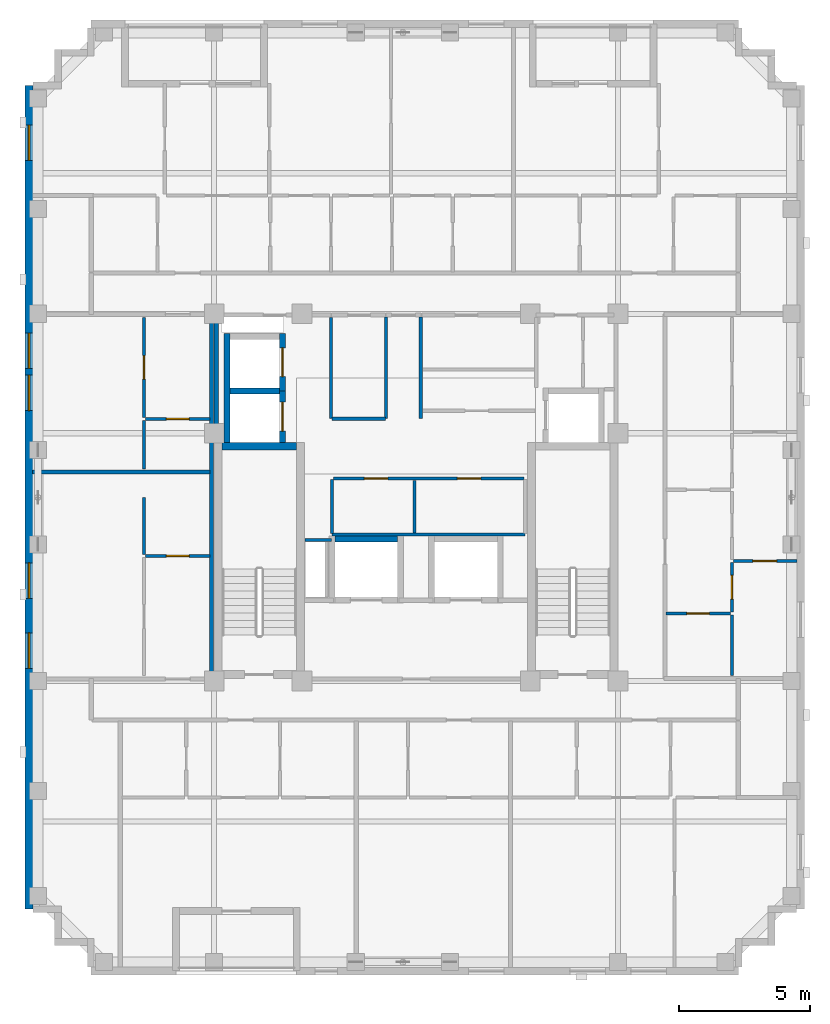
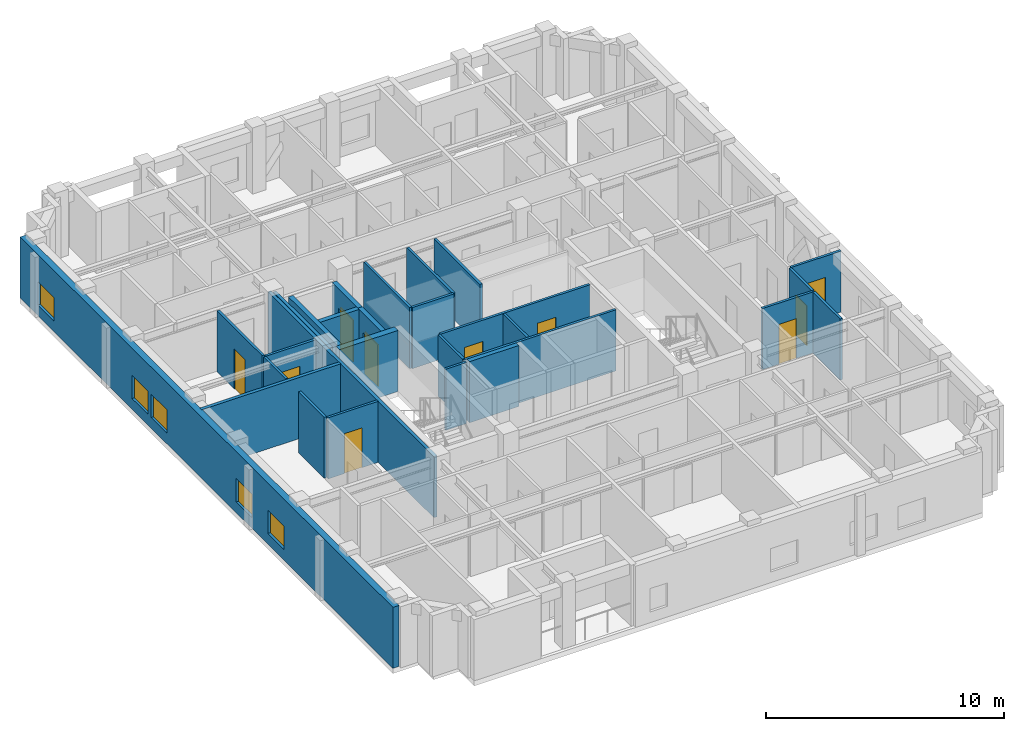
# One storey, part 4 of 11: 28 walls, 10 doors, 5 windows, 15 openings.
"""IFC4 building model written with IfcOpenShell, lengths in metres."""

from ifc_helpers import new_model, si_unit, derived_unit, direction, frame, frame_2d, origin, place, context, subcontext, project, spatial, rectangle, extrude, material, layer, layer_set, type_object, element, fill, save


model = new_model("IFC4")

# Units and contexts
model_context = context("Model", 3, precision=1e-05, world=origin(), true_north=direction((0.0, 1.0)))
body_context = subcontext(model_context, "Body", "Model", "MODEL_VIEW")
ifc_project = project(units=[si_unit("LENGTHUNIT", "METRE"), si_unit("AREAUNIT", "SQUARE_METRE"), si_unit("VOLUMEUNIT", "CUBIC_METRE"), si_unit("PLANEANGLEUNIT", "RADIAN"), si_unit("MASSUNIT", "GRAM", prefix="KILO"), derived_unit("THERMALTRANSMITTANCEUNIT", [(si_unit("MASSUNIT", "GRAM", prefix="KILO"), 1), (si_unit("TIMEUNIT", "SECOND"), -3), (si_unit("THERMODYNAMICTEMPERATUREUNIT", "KELVIN"), -1)])], contexts=[model_context])

# Site, building, storey
site_placement = place(None, origin())
site = spatial("IfcSite", under=ifc_project, at=site_placement, CompositionType="ELEMENT")
building_placement = place(site_placement, origin())
building = spatial("IfcBuilding", under=site, at=building_placement, Name="Korrvale Station Residences", CompositionType="ELEMENT")
storey_placement = place(building_placement, frame((0.0, 0.0, 254.699951171875)))
storey = spatial("IfcBuildingStorey", under=building, at=storey_placement, Name="L74", CompositionType="ELEMENT", Elevation=254.699951171875)

# Wall
ifc_material_1 = material(Name="Concrete C50/60", Category="concrete")
ifc_layer_1 = layer(ifc_material_1, 0.300048828125, Name="Concrete C50/60")
ifc_layer_set_1 = layer_set([ifc_layer_1], Name="Concrete C50/60")
wall_type_1 = type_object("IfcWallType", Name="WAL-CORE-300-C50", PredefinedType="SHEAR", material=ifc_layer_set_1)
wall_1_placement = place(storey_placement, frame((18.10009765625, 23.949951171875, 0.0), z_axis=(0.0, 0.0, 1.0), x_axis=(1.0, 0.0, 0.0)))
element("IfcWall", 1, at=wall_1_placement, inside=storey, type_object=wall_type_1, Name="L74 ST-1 Core Shear Wall North", PredefinedType="SHEAR", context=body_context, shape_type="SweptSolid", body=[
    extrude(rectangle(XDim=2.849853515625, YDim=0.300048828125, at=frame_2d((1.4248046875, 0.0))), origin(), (0.0, 0.0, 1.0), 3.14013671875),
])

# Wall, openings, windows
ifc_material_2 = material(Name="Precast concrete C45/55", Category="concrete")
ifc_layer_2 = layer(ifc_material_2, 0.300048828125, Name="Precast concrete C45/55")
ifc_layer_set_2 = layer_set([ifc_layer_2], Name="Precast concrete C45/55")
wall_type_2 = type_object("IfcWallType", Name="WAL-EXT-PC300", PredefinedType="SOLIDWALL", material=ifc_layer_set_2)
wall_2_placement = place(storey_placement, frame((10.75, 6.300048828125, 0.0), z_axis=(0.0, 0.0, 1.0), x_axis=(0.0, 1.0, 0.0)))
wall_2 = element("IfcWall", 2, at=wall_2_placement, inside=storey, type_object=wall_type_2, Name="L74 West Exterior Precast Wall 1", PredefinedType="SOLIDWALL", context=body_context, shape_type="SweptSolid", body=[
    extrude(rectangle(XDim=31.39990234375, YDim=0.300048828125, at=frame_2d((15.699951171875, 0.0))), origin(), (0.0, 0.0, 1.0), 3.14013671875),
])
opening_1_placement = place(wall_2_placement, frame((28.5458984375, 0.0, 0.550048828125)))
opening_1 = element("IfcOpeningElement", 3, at=opening_1_placement, cuts=wall_2, Name="Opening W-10", PredefinedType="OPENING", context=body_context, shape_type="SweptSolid", body=[
    extrude(rectangle(XDim=1.35009765625, YDim=1.199951171875, at=frame_2d((0.675048828125, 0.60009765625))), frame((0.0, 0.16015625, 0.0), z_axis=(0.0, -1.0, 0.0), x_axis=(1.0, 0.0, 0.0)), (0.0, 0.0, 1.0), 0.320068359375),
])
opening_2_placement = place(wall_2_placement, frame((11.85009765625, 0.0, 0.550048828125)))
opening_2 = element("IfcOpeningElement", 4, at=opening_2_placement, cuts=wall_2, Name="Opening W-10", PredefinedType="OPENING", context=body_context, shape_type="SweptSolid", body=[
    extrude(rectangle(XDim=1.35009765625, YDim=1.199951171875, at=frame_2d((0.675048828125, 0.60009765625))), frame((0.0, 0.16015625, 0.0), z_axis=(0.0, -1.0, 0.0), x_axis=(1.0, 0.0, 0.0)), (0.0, 0.0, 1.0), 0.320068359375),
])
opening_3_placement = place(wall_2_placement, frame((9.18505859375, 0.0, 0.550048828125)))
opening_3 = element("IfcOpeningElement", 5, at=opening_3_placement, cuts=wall_2, Name="Opening W-10", PredefinedType="OPENING", context=body_context, shape_type="SweptSolid", body=[
    extrude(rectangle(XDim=1.35009765625, YDim=1.199951171875, at=frame_2d((0.675048828125, 0.60009765625))), frame((0.0, 0.16015625, 0.0), z_axis=(0.0, -1.0, 0.0), x_axis=(1.0, 0.0, 0.0)), (0.0, 0.0, 1.0), 0.320068359375),
])
opening_4_placement = place(wall_2_placement, frame((19.006103515625, 0.0, 0.550048828125)))
opening_4 = element("IfcOpeningElement", 6, at=opening_4_placement, cuts=wall_2, Name="Opening W-10", PredefinedType="OPENING", context=body_context, shape_type="SweptSolid", body=[
    extrude(rectangle(XDim=1.35009765625, YDim=1.199951171875, at=frame_2d((0.675048828125, 0.60009765625))), frame((0.0, 0.16015625, 0.0), z_axis=(0.0, -1.0, 0.0), x_axis=(1.0, 0.0, 0.0)), (0.0, 0.0, 1.0), 0.320068359375),
])
opening_5_placement = place(wall_2_placement, frame((20.615966796875, 0.0, 0.550048828125)))
opening_5 = element("IfcOpeningElement", 7, at=opening_5_placement, cuts=wall_2, Name="Opening W-10", PredefinedType="OPENING", context=body_context, shape_type="SweptSolid", body=[
    extrude(rectangle(XDim=1.35009765625, YDim=1.199951171875, at=frame_2d((0.675048828125, 0.60009765625))), frame((0.0, 0.16015625, 0.0), z_axis=(0.0, -1.0, 0.0), x_axis=(1.0, 0.0, 0.0)), (0.0, 0.0, 1.0), 0.320068359375),
])
ifc_material_3 = material(Name="Thermally broken aluminium frame with triple low-e glazing", Category="aluminium")
window_type = type_object("IfcWindowType", Name="WIN-W10", PartitioningType="SINGLE_PANEL", PredefinedType="WINDOW", material=ifc_material_3)
window_1_placement = place(opening_1_placement, origin())
window_1 = element("IfcWindow", 8, at=window_1_placement, inside=storey, type_object=window_type, Name="L74 Punched Window 06", OverallHeight=1.199951171875, OverallWidth=1.35009765625, PartitioningType="SINGLE_PANEL", PredefinedType="WINDOW", context=body_context, shape_type="SweptSolid", body=[
    extrude(rectangle(XDim=1.35009765625, YDim=1.199951171875, at=frame_2d((0.675048828125, 0.60009765625))), frame((0.0, 0.030029296875, 0.0), z_axis=(0.0, -1.0, 0.0), x_axis=(1.0, 0.0, 0.0)), (0.0, 0.0, 1.0), 0.06005859375),
])
fill(opening_1, window_1)
window_2_placement = place(opening_2_placement, origin())
window_2 = element("IfcWindow", 9, at=window_2_placement, inside=storey, type_object=window_type, Name="L74 Punched Window 12", OverallHeight=1.199951171875, OverallWidth=1.35009765625, PartitioningType="SINGLE_PANEL", PredefinedType="WINDOW", context=body_context, shape_type="SweptSolid", body=[
    extrude(rectangle(XDim=1.35009765625, YDim=1.199951171875, at=frame_2d((0.675048828125, 0.60009765625))), frame((0.0, 0.030029296875, 0.0), z_axis=(0.0, -1.0, 0.0), x_axis=(1.0, 0.0, 0.0)), (0.0, 0.0, 1.0), 0.06005859375),
])
fill(opening_2, window_2)
window_3_placement = place(opening_3_placement, origin())
window_3 = element("IfcWindow", 10, at=window_3_placement, inside=storey, type_object=window_type, Name="L74 Punched Window 13", OverallHeight=1.199951171875, OverallWidth=1.35009765625, PartitioningType="SINGLE_PANEL", PredefinedType="WINDOW", context=body_context, shape_type="SweptSolid", body=[
    extrude(rectangle(XDim=1.35009765625, YDim=1.199951171875, at=frame_2d((0.675048828125, 0.60009765625))), frame((0.0, 0.030029296875, 0.0), z_axis=(0.0, -1.0, 0.0), x_axis=(1.0, 0.0, 0.0)), (0.0, 0.0, 1.0), 0.06005859375),
])
fill(opening_3, window_3)
window_4_placement = place(opening_4_placement, origin())
window_4 = element("IfcWindow", 11, at=window_4_placement, inside=storey, type_object=window_type, Name="L74 Punched Window 14", OverallHeight=1.199951171875, OverallWidth=1.35009765625, PartitioningType="SINGLE_PANEL", PredefinedType="WINDOW", context=body_context, shape_type="SweptSolid", body=[
    extrude(rectangle(XDim=1.35009765625, YDim=1.199951171875, at=frame_2d((0.675048828125, 0.60009765625))), frame((0.0, 0.030029296875, 0.0), z_axis=(0.0, -1.0, 0.0), x_axis=(1.0, 0.0, 0.0)), (0.0, 0.0, 1.0), 0.06005859375),
])
fill(opening_4, window_4)
window_5_placement = place(opening_5_placement, origin())
window_5 = element("IfcWindow", 12, at=window_5_placement, inside=storey, type_object=window_type, Name="L74 Punched Window 15", OverallHeight=1.199951171875, OverallWidth=1.35009765625, PartitioningType="SINGLE_PANEL", PredefinedType="WINDOW", context=body_context, shape_type="SweptSolid", body=[
    extrude(rectangle(XDim=1.35009765625, YDim=1.199951171875, at=frame_2d((0.675048828125, 0.60009765625))), frame((0.0, 0.030029296875, 0.0), z_axis=(0.0, -1.0, 0.0), x_axis=(1.0, 0.0, 0.0)), (0.0, 0.0, 1.0), 0.06005859375),
])
fill(opening_5, window_5)

# Walls
ifc_material_4 = material(Name="Acoustic steel-stud gypsum board partition", Category="steel")
ifc_layer_3 = layer(ifc_material_4, 0.1201171875, Name="Acoustic steel-stud gypsum board partition")
ifc_layer_set_3 = layer_set([ifc_layer_3], Name="Acoustic steel-stud gypsum board partition")
wall_type_3 = type_object("IfcWallType", Name="WAL-PART-125", PredefinedType="PARTITIONING", material=ifc_layer_set_3)
wall_3_placement = place(storey_placement, frame((22.280029296875, 20.3798828125, 0.0), z_axis=(0.0, 0.0, 1.0), x_axis=(-1.0, 0.0, 0.0)))
element("IfcWall", 13, at=wall_3_placement, inside=storey, type_object=wall_type_3, Name="L74 Core Partition CW-RSWT-N", PredefinedType="PARTITIONING", context=body_context, shape_type="SweptSolid", body=[
    extrude(rectangle(XDim=1.02001953125, YDim=0.1201171875, at=frame_2d((0.510009765625, 0.0))), origin(), (0.0, 0.0, 1.0), 3.14013671875),
])
for number, where, z_axis, x_axis, name in (
    (14, (24.360107421875, 25.0, 0.0), (0.0, 0.0, 1.0), (0.0, 1.0, 0.0), "L74 Core Partition CW-PSG-W"),
    (15, (25.679931640625, 25.0, 0.0), (0.0, 0.0, 1.0), (0.0, 1.0, 0.0), "L74 Core Partition CW-PSG-E"),
):
    element("IfcWall", number, at=place(storey_placement, frame(where, z_axis=z_axis, x_axis=x_axis)), inside=storey, type_object=wall_type_3, Name=name, PredefinedType="PARTITIONING", context=body_context, shape_type="SweptSolid", body=[
        extrude(rectangle(XDim=3.8701171875, YDim=0.1201171875, at=frame_2d((1.93505859375, 0.0))), origin(), (0.0, 0.0, 1.0), 3.14013671875),
    ])
wall_4_placement = place(storey_placement, frame((22.260009765625, 25.0, 0.0), z_axis=(0.0, 0.0, 1.0), x_axis=(0.0, 1.0, 0.0)))
element("IfcWall", 16, at=wall_4_placement, inside=storey, type_object=wall_type_3, Name="L74 Core Partition CW-FPLW-W", PredefinedType="PARTITIONING", context=body_context, shape_type="SweptSolid", body=[
    extrude(rectangle(XDim=3.860107421875, YDim=0.1201171875, at=frame_2d((1.93017578125, 0.0))), origin(), (0.0, 0.0, 1.0), 3.14013671875),
])
wall_5_placement = place(storey_placement, frame((22.300048828125, 25.0, 0.0), z_axis=(0.0, 0.0, 1.0), x_axis=(1.0, 0.0, 0.0)))
element("IfcWall", 17, at=wall_5_placement, inside=storey, type_object=wall_type_3, Name="L74 Core Partition CW-FPLW-S", PredefinedType="PARTITIONING", context=body_context, shape_type="SweptSolid", body=[
    extrude(rectangle(XDim=2.0400390625, YDim=0.1201171875, at=frame_2d((1.02001953125, 0.0))), origin(), (0.0, 0.0, 1.0), 3.14013671875),
])
wall_6_placement = place(storey_placement, frame((22.300048828125, 20.580078125, 0.0), z_axis=(0.0, 0.0, 1.0), x_axis=(1.0, 0.0, 0.0)))
element("IfcWall", 18, at=wall_6_placement, inside=storey, type_object=wall_type_3, Name="L74 Core Partition CW-FPM-S", PredefinedType="PARTITIONING", context=body_context, shape_type="SweptSolid", body=[
    extrude(rectangle(XDim=7.349853515625, YDim=0.1201171875, at=frame_2d((3.6748046875, 0.0))), origin(), (0.0, 0.0, 1.0), 3.14013671875),
])
wall_7_placement = place(storey_placement, frame((22.300048828125, 20.6201171875, 0.0), z_axis=(0.0, 0.0, 1.0), x_axis=(0.0, 1.0, 0.0)))
element("IfcWall", 19, at=wall_7_placement, inside=storey, type_object=wall_type_3, Name="L74 Core Partition CW-FPM-W", PredefinedType="PARTITIONING", context=body_context, shape_type="SweptSolid", body=[
    extrude(rectangle(XDim=2.059814453125, YDim=0.1201171875, at=frame_2d((1.02978515625, 0.0))), origin(), (0.0, 0.0, 1.0), 3.14013671875),
])
wall_8_placement = place(storey_placement, frame((25.43994140625, 20.64990234375, 0.0), z_axis=(0.0, 0.0, 1.0), x_axis=(0.0, 1.0, 0.0)))
element("IfcWall", 20, at=wall_8_placement, inside=storey, type_object=wall_type_3, Name="L74 Core Partition CW-FPM-M", PredefinedType="PARTITIONING", context=body_context, shape_type="SweptSolid", body=[
    extrude(rectangle(XDim=2.0, YDim=0.1201171875, at=frame_2d((1.0, 0.0))), origin(), (0.0, 0.0, 1.0), 3.14013671875),
])

# Wall, openings, doors
wall_9_placement = place(storey_placement, frame((22.35009765625, 22.719970703125, 0.0), z_axis=(0.0, 0.0, 1.0), x_axis=(1.0, 0.0, 0.0)))
wall_9 = element("IfcWall", 21, at=wall_9_placement, inside=storey, type_object=wall_type_3, Name="L74 Core Partition CW-FPM-N", PredefinedType="PARTITIONING", context=body_context, shape_type="SweptSolid", body=[
    extrude(rectangle(XDim=7.27001953125, YDim=0.1201171875, at=frame_2d((3.635009765625, 0.0))), origin(), (0.0, 0.0, 1.0), 3.14013671875),
])
opening_6_placement = place(wall_9_placement, frame((1.175048828125, 0.0, 0.0)))
opening_6 = element("IfcOpeningElement", 22, at=opening_6_placement, cuts=wall_9, Name="Opening DI-900", PredefinedType="OPENING", context=body_context, shape_type="SweptSolid", body=[
    extrude(rectangle(XDim=0.89990234375, YDim=2.050048828125, at=frame_2d((0.449951171875, 1.02490234375))), frame((0.0, 0.070068359375, 0.0), z_axis=(0.0, -1.0, 0.0), x_axis=(1.0, 0.0, 0.0)), (0.0, 0.0, 1.0), 0.14013671875),
])
opening_7_placement = place(wall_9_placement, frame((4.72509765625, 0.0, 0.0)))
opening_7 = element("IfcOpeningElement", 23, at=opening_7_placement, cuts=wall_9, Name="Opening DI-900", PredefinedType="OPENING", context=body_context, shape_type="SweptSolid", body=[
    extrude(rectangle(XDim=0.89990234375, YDim=2.050048828125, at=frame_2d((0.449951171875, 1.02490234375))), frame((0.0, 0.070068359375, 0.0), z_axis=(0.0, -1.0, 0.0), x_axis=(1.0, 0.0, 0.0)), (0.0, 0.0, 1.0), 0.14013671875),
])
ifc_material_5 = material(Name="Painted solid-core timber interior room door", Category="wood")
door_type_1 = type_object("IfcDoorType", Name="DR-INT-900", OperationType="NOTDEFINED", PredefinedType="DOOR", material=ifc_material_5)
door_1_placement = place(opening_6_placement, origin())
door_1 = element("IfcDoor", 24, at=door_1_placement, inside=storey, type_object=door_type_1, Name="L74 Sky Pantry Door", OperationType="SINGLE_SWING_LEFT", OverallHeight=2.050048828125, OverallWidth=0.89990234375, PredefinedType="DOOR", context=body_context, shape_type="SweptSolid", body=[
    extrude(rectangle(XDim=0.89990234375, YDim=2.050048828125, at=frame_2d((0.449951171875, 1.02490234375))), frame((0.0, 0.02490234375, 0.0), z_axis=(0.0, -1.0, 0.0), x_axis=(1.0, 0.0, 0.0)), (0.0, 0.0, 1.0), 0.050048828125),
])
fill(opening_6, door_1)
door_2_placement = place(opening_7_placement, origin())
door_2 = element("IfcDoor", 25, at=door_2_placement, inside=storey, type_object=door_type_1, Name="L74 Concierge Supply Door", OperationType="SINGLE_SWING_RIGHT", OverallHeight=2.050048828125, OverallWidth=0.89990234375, PredefinedType="DOOR", context=body_context, shape_type="SweptSolid", body=[
    extrude(rectangle(XDim=0.89990234375, YDim=2.050048828125, at=frame_2d((0.449951171875, 1.02490234375))), frame((0.0, 0.02490234375, 0.0), z_axis=(0.0, -1.0, 0.0), x_axis=(1.0, 0.0, 0.0)), (0.0, 0.0, 1.0), 0.050048828125),
])
fill(opening_7, door_2)

# Wall, opening, door
wall_10_placement = place(storey_placement, frame((15.18994140625, 19.77001953125, 0.0), z_axis=(0.0, 0.0, 1.0), x_axis=(1.0, 0.0, 0.0)))
wall_10 = element("IfcWall", 26, at=wall_10_placement, inside=storey, type_object=wall_type_3, Name="L74 Suite Partition U06-H01", PredefinedType="PARTITIONING", context=body_context, shape_type="SweptSolid", body=[
    extrude(rectangle(XDim=2.449951171875, YDim=0.1201171875, at=frame_2d((1.22509765625, 0.0))), origin(), (0.0, 0.0, 1.0), 3.14013671875),
])
opening_8_placement = place(wall_10_placement, frame((0.794921875, 0.0, 0.0)))
opening_8 = element("IfcOpeningElement", 27, at=opening_8_placement, cuts=wall_10, Name="Opening DB-860", PredefinedType="OPENING", context=body_context, shape_type="SweptSolid", body=[
    extrude(rectangle(XDim=0.860107421875, YDim=2.050048828125, at=frame_2d((0.43017578125, 1.02490234375))), frame((0.0, 0.070068359375, 0.0), z_axis=(0.0, -1.0, 0.0), x_axis=(1.0, 0.0, 0.0)), (0.0, 0.0, 1.0), 0.14013671875),
])
ifc_material_6 = material(Name="Moisture-resistant solid-core bathroom door", Category="timber")
door_type_2 = type_object("IfcDoorType", Name="DR-BATH-860", OperationType="NOTDEFINED", PredefinedType="DOOR", material=ifc_material_6)
door_3_placement = place(opening_8_placement, origin())
door_3 = element("IfcDoor", 28, at=door_3_placement, inside=storey, type_object=door_type_2, Name="L74 Studio Apartment L74-U06 Bathroom Door", OperationType="SINGLE_SWING_LEFT", OverallHeight=2.050048828125, OverallWidth=0.860107421875, PredefinedType="DOOR", context=body_context, shape_type="SweptSolid", body=[
    extrude(rectangle(XDim=0.860107421875, YDim=2.050048828125, at=frame_2d((0.43017578125, 1.02490234375))), frame((0.0, 0.02490234375, 0.0), z_axis=(0.0, -1.0, 0.0), x_axis=(1.0, 0.0, 0.0)), (0.0, 0.0, 1.0), 0.050048828125),
])
fill(opening_8, door_3)

# Wall
wall_11_placement = place(storey_placement, frame((15.1298828125, 19.830078125, 0.0), z_axis=(0.0, 0.0, 1.0), x_axis=(0.0, 1.0, 0.0)))
element("IfcWall", 29, at=wall_11_placement, inside=storey, type_object=wall_type_3, Name="L74 Suite Partition U06-V02", PredefinedType="PARTITIONING", context=body_context, shape_type="SweptSolid", body=[
    extrude(rectangle(XDim=2.158935546875, YDim=0.1201171875, at=frame_2d((1.07958984375, 0.0))), origin(), (0.0, 0.0, 1.0), 3.14013671875),
])

# Wall, opening, door
wall_12_placement = place(storey_placement, frame((15.18994140625, 24.991943359375, 0.0), z_axis=(0.0, 0.0, 1.0), x_axis=(1.0, 0.0, 0.0)))
wall_12 = element("IfcWall", 30, at=wall_12_placement, inside=storey, type_object=wall_type_3, Name="L74 Suite Partition U07-H01", PredefinedType="PARTITIONING", context=body_context, shape_type="SweptSolid", body=[
    extrude(rectangle(XDim=2.449951171875, YDim=0.1201171875, at=frame_2d((1.22509765625, 0.0))), origin(), (0.0, 0.0, 1.0), 3.14013671875),
])
opening_9_placement = place(wall_12_placement, frame((0.794921875, 0.0, 0.0)))
opening_9 = element("IfcOpeningElement", 31, at=opening_9_placement, cuts=wall_12, Name="Opening DB-860", PredefinedType="OPENING", context=body_context, shape_type="SweptSolid", body=[
    extrude(rectangle(XDim=0.860107421875, YDim=2.050048828125, at=frame_2d((0.43017578125, 1.02490234375))), frame((0.0, 0.070068359375, 0.0), z_axis=(0.0, -1.0, 0.0), x_axis=(1.0, 0.0, 0.0)), (0.0, 0.0, 1.0), 0.14013671875),
])
door_4_placement = place(opening_9_placement, origin())
door_4 = element("IfcDoor", 32, at=door_4_placement, inside=storey, type_object=door_type_2, Name="L74 Studio Apartment L74-U07 Bathroom Door", OperationType="SINGLE_SWING_RIGHT", OverallHeight=2.050048828125, OverallWidth=0.860107421875, PredefinedType="DOOR", context=body_context, shape_type="SweptSolid", body=[
    extrude(rectangle(XDim=0.860107421875, YDim=2.050048828125, at=frame_2d((0.43017578125, 1.02490234375))), frame((0.0, 0.02490234375, 0.0), z_axis=(0.0, -1.0, 0.0), x_axis=(1.0, 0.0, 0.0)), (0.0, 0.0, 1.0), 0.050048828125),
])
fill(opening_9, door_4)

# Wall
wall_13_placement = place(storey_placement, frame((15.1298828125, 23.08203125, 0.0), z_axis=(0.0, 0.0, 1.0), x_axis=(0.0, 1.0, 0.0)))
element("IfcWall", 33, at=wall_13_placement, inside=storey, type_object=wall_type_3, Name="L74 Suite Partition U07-V02", PredefinedType="PARTITIONING", context=body_context, shape_type="SweptSolid", body=[
    extrude(rectangle(XDim=1.849853515625, YDim=0.1201171875, at=frame_2d((0.9248046875, 0.0))), origin(), (0.0, 0.0, 1.0), 3.14013671875),
])

# Wall, opening, door
wall_14_placement = place(storey_placement, frame((15.1298828125, 25.052001953125, 0.0), z_axis=(0.0, 0.0, 1.0), x_axis=(0.0, 1.0, 0.0)))
wall_14 = element("IfcWall", 34, at=wall_14_placement, inside=storey, type_object=wall_type_3, Name="L74 Suite Partition U07-V12", PredefinedType="PARTITIONING", context=body_context, shape_type="SweptSolid", body=[
    extrude(rectangle(XDim=3.80810546875, YDim=0.1201171875, at=frame_2d((1.904052734375, 0.0))), origin(), (0.0, 0.0, 1.0), 3.14013671875),
])
opening_10_placement = place(wall_14_placement, frame((1.4541015625, 0.0, 0.0)))
opening_10 = element("IfcOpeningElement", 35, at=opening_10_placement, cuts=wall_14, Name="Opening DI-900", PredefinedType="OPENING", context=body_context, shape_type="SweptSolid", body=[
    extrude(rectangle(XDim=0.89990234375, YDim=2.050048828125, at=frame_2d((0.449951171875, 1.02490234375))), frame((0.0, 0.070068359375, 0.0), z_axis=(0.0, -1.0, 0.0), x_axis=(1.0, 0.0, 0.0)), (0.0, 0.0, 1.0), 0.14013671875),
])
door_5_placement = place(opening_10_placement, origin())
door_5 = element("IfcDoor", 36, at=door_5_placement, inside=storey, type_object=door_type_1, Name="L74 Studio Apartment L74-U07 Kitchen Door", OperationType="SINGLE_SWING_LEFT", OverallHeight=2.050048828125, OverallWidth=0.89990234375, PredefinedType="DOOR", context=body_context, shape_type="SweptSolid", body=[
    extrude(rectangle(XDim=0.89990234375, YDim=2.050048828125, at=frame_2d((0.449951171875, 1.02490234375))), frame((0.0, 0.02490234375, 0.0), z_axis=(0.0, -1.0, 0.0), x_axis=(1.0, 0.0, 0.0)), (0.0, 0.0, 1.0), 0.050048828125),
])
fill(opening_10, door_5)

wall_15_placement = place(storey_placement, frame((35.030029296875, 17.570068359375, 0.0), z_axis=(0.0, 0.0, 1.0), x_axis=(1.0, 0.0, 0.0)))
wall_15 = element("IfcWall", 37, at=wall_15_placement, inside=storey, type_object=wall_type_3, Name="L74 Suite Partition U08-H12", PredefinedType="PARTITIONING", context=body_context, shape_type="SweptSolid", body=[
    extrude(rectangle(XDim=2.449951171875, YDim=0.1201171875, at=frame_2d((1.22509765625, 0.0))), origin(), (0.0, 0.0, 1.0), 3.14013671875),
])
opening_11_placement = place(wall_15_placement, frame((0.794921875, 0.0, 0.0)))
opening_11 = element("IfcOpeningElement", 38, at=opening_11_placement, cuts=wall_15, Name="Opening DB-860", PredefinedType="OPENING", context=body_context, shape_type="SweptSolid", body=[
    extrude(rectangle(XDim=0.860107421875, YDim=2.050048828125, at=frame_2d((0.43017578125, 1.02490234375))), frame((0.0, 0.070068359375, 0.0), z_axis=(0.0, -1.0, 0.0), x_axis=(1.0, 0.0, 0.0)), (0.0, 0.0, 1.0), 0.14013671875),
])
door_6_placement = place(opening_11_placement, origin())
door_6 = element("IfcDoor", 39, at=door_6_placement, inside=storey, type_object=door_type_2, Name="L74 Apartment 2BR L74-U08 Bathroom Door", OperationType="SINGLE_SWING_LEFT", OverallHeight=2.050048828125, OverallWidth=0.860107421875, PredefinedType="DOOR", context=body_context, shape_type="SweptSolid", body=[
    extrude(rectangle(XDim=0.860107421875, YDim=2.050048828125, at=frame_2d((0.43017578125, 1.02490234375))), frame((0.0, 0.02490234375, 0.0), z_axis=(0.0, -1.0, 0.0), x_axis=(1.0, 0.0, 0.0)), (0.0, 0.0, 1.0), 0.050048828125),
])
fill(opening_11, door_6)

# Wall
wall_16_placement = place(storey_placement, frame((37.5400390625, 15.2099609375, 0.0), z_axis=(0.0, 0.0, 1.0), x_axis=(0.0, 1.0, 0.0)))
element("IfcWall", 40, at=wall_16_placement, inside=storey, type_object=wall_type_3, Name="L74 Suite Partition U08-V13", PredefinedType="PARTITIONING", context=body_context, shape_type="SweptSolid", body=[
    extrude(rectangle(XDim=2.300048828125, YDim=0.1201171875, at=frame_2d((1.14990234375, 0.0))), origin(), (0.0, 0.0, 1.0), 3.14013671875),
])

# Wall, opening, door
wall_17_placement = place(storey_placement, frame((37.5400390625, 17.6298828125, 0.0), z_axis=(0.0, 0.0, 1.0), x_axis=(0.0, 1.0, 0.0)))
wall_17 = element("IfcWall", 41, at=wall_17_placement, inside=storey, type_object=wall_type_3, Name="L74 Suite Partition U08-V23", PredefinedType="PARTITIONING", context=body_context, shape_type="SweptSolid", body=[
    extrude(rectangle(XDim=1.88818359375, YDim=0.1201171875, at=frame_2d((0.944091796875, 0.0))), origin(), (0.0, 0.0, 1.0), 3.14013671875),
])
opening_12_placement = place(wall_17_placement, frame((0.493896484375, 0.0, 0.0)))
opening_12 = element("IfcOpeningElement", 42, at=opening_12_placement, cuts=wall_17, Name="Opening DI-900", PredefinedType="OPENING", context=body_context, shape_type="SweptSolid", body=[
    extrude(rectangle(XDim=0.89990234375, YDim=2.050048828125, at=frame_2d((0.449951171875, 1.02490234375))), frame((0.0, 0.070068359375, 0.0), z_axis=(0.0, -1.0, 0.0), x_axis=(1.0, 0.0, 0.0)), (0.0, 0.0, 1.0), 0.14013671875),
])
door_7_placement = place(opening_12_placement, origin())
door_7 = element("IfcDoor", 43, at=door_7_placement, inside=storey, type_object=door_type_1, Name="L74 Apartment 2BR L74-U08 Kitchen Door", OperationType="SINGLE_SWING_RIGHT", OverallHeight=2.050048828125, OverallWidth=0.89990234375, PredefinedType="DOOR", context=body_context, shape_type="SweptSolid", body=[
    extrude(rectangle(XDim=0.89990234375, YDim=2.050048828125, at=frame_2d((0.449951171875, 1.02490234375))), frame((0.0, 0.02490234375, 0.0), z_axis=(0.0, -1.0, 0.0), x_axis=(1.0, 0.0, 0.0)), (0.0, 0.0, 1.0), 0.050048828125),
])
fill(opening_12, door_7)

wall_18_placement = place(storey_placement, frame((37.60009765625, 19.577880859375, 0.0), z_axis=(0.0, 0.0, 1.0), x_axis=(1.0, 0.0, 0.0)))
wall_18 = element("IfcWall", 44, at=wall_18_placement, inside=storey, type_object=wall_type_3, Name="L74 Suite Partition U08-H34", PredefinedType="PARTITIONING", context=body_context, shape_type="SweptSolid", body=[
    extrude(rectangle(XDim=2.419921875, YDim=0.1201171875, at=frame_2d((1.2099609375, 0.0))), origin(), (0.0, 0.0, 1.0), 3.14013671875),
])
opening_13_placement = place(wall_18_placement, frame((0.7451171875, 0.0, 0.0)))
opening_13 = element("IfcOpeningElement", 45, at=opening_13_placement, cuts=wall_18, Name="Opening DI-900", PredefinedType="OPENING", context=body_context, shape_type="SweptSolid", body=[
    extrude(rectangle(XDim=0.89990234375, YDim=2.050048828125, at=frame_2d((0.449951171875, 1.02490234375))), frame((0.0, 0.070068359375, 0.0), z_axis=(0.0, -1.0, 0.0), x_axis=(1.0, 0.0, 0.0)), (0.0, 0.0, 1.0), 0.14013671875),
])
door_8_placement = place(opening_13_placement, origin())
door_8 = element("IfcDoor", 46, at=door_8_placement, inside=storey, type_object=door_type_1, Name="L74 Apartment 2BR L74-U08 Bedroom 1 Door", OperationType="SINGLE_SWING_RIGHT", OverallHeight=2.050048828125, OverallWidth=0.89990234375, PredefinedType="DOOR", context=body_context, shape_type="SweptSolid", body=[
    extrude(rectangle(XDim=0.89990234375, YDim=2.050048828125, at=frame_2d((0.449951171875, 1.02490234375))), frame((0.0, 0.02490234375, 0.0), z_axis=(0.0, -1.0, 0.0), x_axis=(1.0, 0.0, 0.0)), (0.0, 0.0, 1.0), 0.050048828125),
])
fill(opening_13, door_8)

# Walls
ifc_material_7 = material(Name="Fire-rated twin-stud gypsum and mineral wool shaftwall assembly", Category="gypsum")
ifc_layer_4 = layer(ifc_material_7, 0.159912109375, Name="Fire-rated twin-stud gypsum and mineral wool shaftwall assembly")
ifc_layer_set_4 = layer_set([ifc_layer_4], Name="Fire-rated twin-stud gypsum and mineral wool shaftwall assembly")
wall_type_4 = type_object("IfcWallType", Name="WAL-PART-200", PredefinedType="PARTITIONING", material=ifc_layer_set_4)
wall_19_placement = place(storey_placement, frame((17.8798828125, 24.1201171875, 0.0), z_axis=(0.0, 0.0, 1.0), x_axis=(0.0, 1.0, 0.0)))
element("IfcWall", 47, at=wall_19_placement, inside=storey, type_object=wall_type_4, Name="L74 Core Partition CW-W-N", PredefinedType="PARTITIONING", context=body_context, shape_type="SweptSolid", body=[
    extrude(rectangle(XDim=4.759765625, YDim=0.159912109375, at=frame_2d((2.3798828125, 0.0))), origin(), (0.0, 0.0, 1.0), 3.14013671875),
])
wall_20_placement = place(storey_placement, frame((10.8798828125, 22.9619140625, 0.0), z_axis=(0.0, 0.0, 1.0), x_axis=(1.0, 0.0, 0.0)))
element("IfcWall", 48, at=wall_20_placement, inside=storey, type_object=wall_type_4, Name="L74 Demising Wall U06-N", PredefinedType="PARTITIONING", context=body_context, shape_type="SweptSolid", body=[
    extrude(rectangle(XDim=6.760009765625, YDim=0.159912109375, at=frame_2d((3.3798828125, 0.0))), origin(), (0.0, 0.0, 1.0), 3.14013671875),
])
wall_21_placement = place(storey_placement, frame((17.699951171875, 15.02001953125, 0.0), z_axis=(0.0, 0.0, 1.0), x_axis=(0.0, 1.0, 0.0)))
element("IfcWall", 49, at=wall_21_placement, inside=storey, type_object=wall_type_4, Name="L74 Rated Corridor Wall W", PredefinedType="PARTITIONING", context=body_context, shape_type="SweptSolid", body=[
    extrude(rectangle(XDim=13.97998046875, YDim=0.159912109375, at=frame_2d((6.989990234375, 0.0))), origin(), (0.0, 0.0, 1.0), 3.14013671875),
])
ifc_layer_5 = layer(ifc_material_1, 0.219970703125, Name="Concrete C50/60")
ifc_layer_set_5 = layer_set([ifc_layer_5], Name="Concrete C50/60")
wall_type_5 = type_object("IfcWallType", Name="WAL-SHAFT-220-C50", PredefinedType="SHEAR", material=ifc_layer_set_5)
wall_22_placement = place(storey_placement, frame((18.2900390625, 24.10009765625, 0.0), z_axis=(0.0, 0.0, 1.0), x_axis=(0.0, 1.0, 0.0)))
element("IfcWall", 50, at=wall_22_placement, inside=storey, type_object=wall_type_5, Name="L74 Elevator PH-1 Hoistway Wall West", PredefinedType="SHEAR", context=body_context, shape_type="SweptSolid", body=[
    extrude(rectangle(XDim=4.139892578125, YDim=0.219970703125, at=frame_2d((2.06982421875, 0.0))), origin(), (0.0, 0.0, 1.0), 3.14013671875),
])

# Wall, opening, door
wall_23_placement = place(storey_placement, frame((20.409912109375, 24.10009765625, 0.0), z_axis=(0.0, 0.0, 1.0), x_axis=(0.0, 1.0, 0.0)))
wall_23 = element("IfcWall", 51, at=wall_23_placement, inside=storey, type_object=wall_type_5, Name="L74 Elevator PH-1 Hoistway Wall East", PredefinedType="SHEAR", context=body_context, shape_type="SweptSolid", body=[
    extrude(rectangle(XDim=1.9599609375, YDim=0.219970703125, at=frame_2d((0.97998046875, 0.0))), origin(), (0.0, 0.0, 1.0), 3.14013671875),
])
opening_14_placement = place(wall_23_placement, frame((0.429931640625, 0.0, 0.0)))
opening_14 = element("IfcOpeningElement", 52, at=opening_14_placement, cuts=wall_23, Name="Opening LD-1100", PredefinedType="OPENING", context=body_context, shape_type="SweptSolid", body=[
    extrude(rectangle(XDim=1.10009765625, YDim=2.14990234375, at=frame_2d((0.550048828125, 1.074951171875))), frame((0.0, 0.1201171875, 0.0), z_axis=(0.0, -1.0, 0.0), x_axis=(1.0, 0.0, 0.0)), (0.0, 0.0, 1.0), 0.239990234375),
])
ifc_material_8 = material(Name="Brushed stainless-steel elevator landing sliding door", Category="steel")
door_type_3 = type_object("IfcDoorType", Name="DR-LIFT-1100", OperationType="SLIDING_TO_LEFT", PredefinedType="DOOR", material=ifc_material_8)
door_9_placement = place(opening_14_placement, origin())
door_9 = element("IfcDoor", 53, at=door_9_placement, inside=storey, type_object=door_type_3, Name="L74 Elevator PH-1 Sliding Landing Door", OperationType="SLIDING_TO_LEFT", OverallHeight=2.14990234375, OverallWidth=1.10009765625, PredefinedType="DOOR", context=body_context, shape_type="SweptSolid", body=[
    extrude(rectangle(XDim=1.10009765625, YDim=2.14990234375, at=frame_2d((0.550048828125, 1.074951171875))), frame((0.0, 0.02490234375, 0.0), z_axis=(0.0, -1.0, 0.0), x_axis=(1.0, 0.0, 0.0)), (0.0, 0.0, 1.0), 0.050048828125),
])
fill(opening_14, door_9)

# Wall
wall_24_placement = place(storey_placement, frame((18.39990234375, 26.06005859375, 0.0), z_axis=(0.0, 0.0, 1.0), x_axis=(1.0, 0.0, 0.0)))
element("IfcWall", 54, at=wall_24_placement, inside=storey, type_object=wall_type_5, Name="L74 Elevator PH-2 Hoistway Wall South", PredefinedType="SHEAR", context=body_context, shape_type="SweptSolid", body=[
    extrude(rectangle(XDim=1.900146484375, YDim=0.219970703125, at=frame_2d((0.9501953125, 0.0))), origin(), (0.0, 0.0, 1.0), 3.14013671875),
])

# Wall, opening, door
wall_25_placement = place(storey_placement, frame((20.409912109375, 26.06005859375, 0.0), z_axis=(0.0, 0.0, 1.0), x_axis=(0.0, 1.0, 0.0)))
wall_25 = element("IfcWall", 55, at=wall_25_placement, inside=storey, type_object=wall_type_5, Name="L74 Elevator PH-2 Hoistway Wall East", PredefinedType="SHEAR", context=body_context, shape_type="SweptSolid", body=[
    extrude(rectangle(XDim=2.179931640625, YDim=0.219970703125, at=frame_2d((1.08984375, 0.0))), origin(), (0.0, 0.0, 1.0), 3.14013671875),
])
opening_15_placement = place(wall_25_placement, frame((0.5400390625, 0.0, 0.0)))
opening_15 = element("IfcOpeningElement", 56, at=opening_15_placement, cuts=wall_25, Name="Opening LD-1100", PredefinedType="OPENING", context=body_context, shape_type="SweptSolid", body=[
    extrude(rectangle(XDim=1.10009765625, YDim=2.14990234375, at=frame_2d((0.550048828125, 1.074951171875))), frame((0.0, 0.1201171875, 0.0), z_axis=(0.0, -1.0, 0.0), x_axis=(1.0, 0.0, 0.0)), (0.0, 0.0, 1.0), 0.239990234375),
])
door_10_placement = place(opening_15_placement, origin())
door_10 = element("IfcDoor", 57, at=door_10_placement, inside=storey, type_object=door_type_3, Name="L74 Elevator PH-2 Sliding Landing Door", OperationType="SLIDING_TO_LEFT", OverallHeight=2.14990234375, OverallWidth=1.10009765625, PredefinedType="DOOR", context=body_context, shape_type="SweptSolid", body=[
    extrude(rectangle(XDim=1.10009765625, YDim=2.14990234375, at=frame_2d((0.550048828125, 1.074951171875))), frame((0.0, 0.02490234375, 0.0), z_axis=(0.0, -1.0, 0.0), x_axis=(1.0, 0.0, 0.0)), (0.0, 0.0, 1.0), 0.050048828125),
])
fill(opening_15, door_10)

# Wall
wall_26_placement = place(storey_placement, frame((22.39990234375, 20.409912109375, 0.0), z_axis=(0.0, 0.0, 1.0), x_axis=(1.0, 0.0, 0.0)))
element("IfcWall", 58, at=wall_26_placement, inside=storey, type_object=wall_type_5, Name="L74 Elevator FFL-1 Hoistway Wall North", PredefinedType="SHEAR", context=body_context, shape_type="SweptSolid", body=[
    extrude(rectangle(XDim=2.400146484375, YDim=0.219970703125, at=frame_2d((1.2001953125, 0.0))), origin(), (0.0, 0.0, 1.0), 3.14013671875),
])

save(model, "model.ifc")
